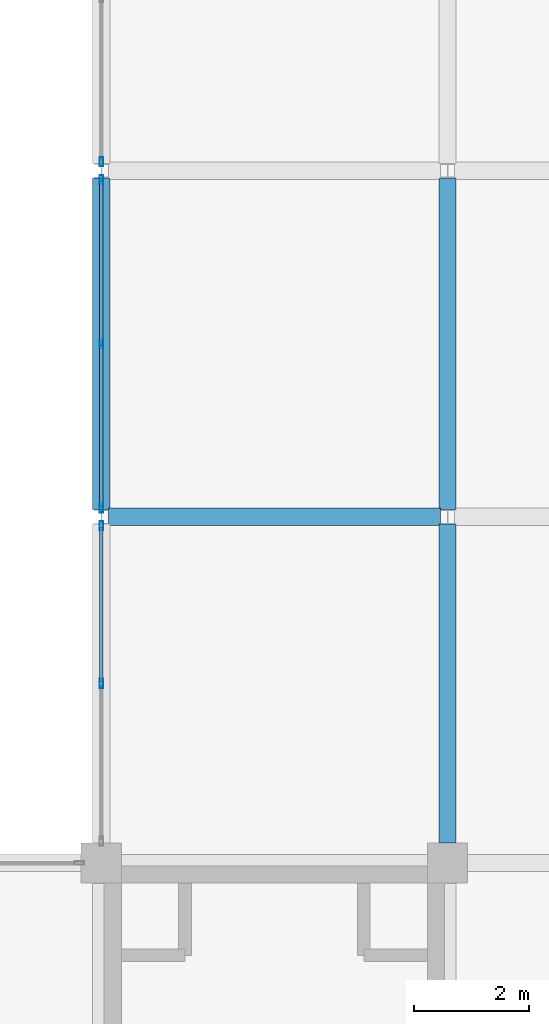
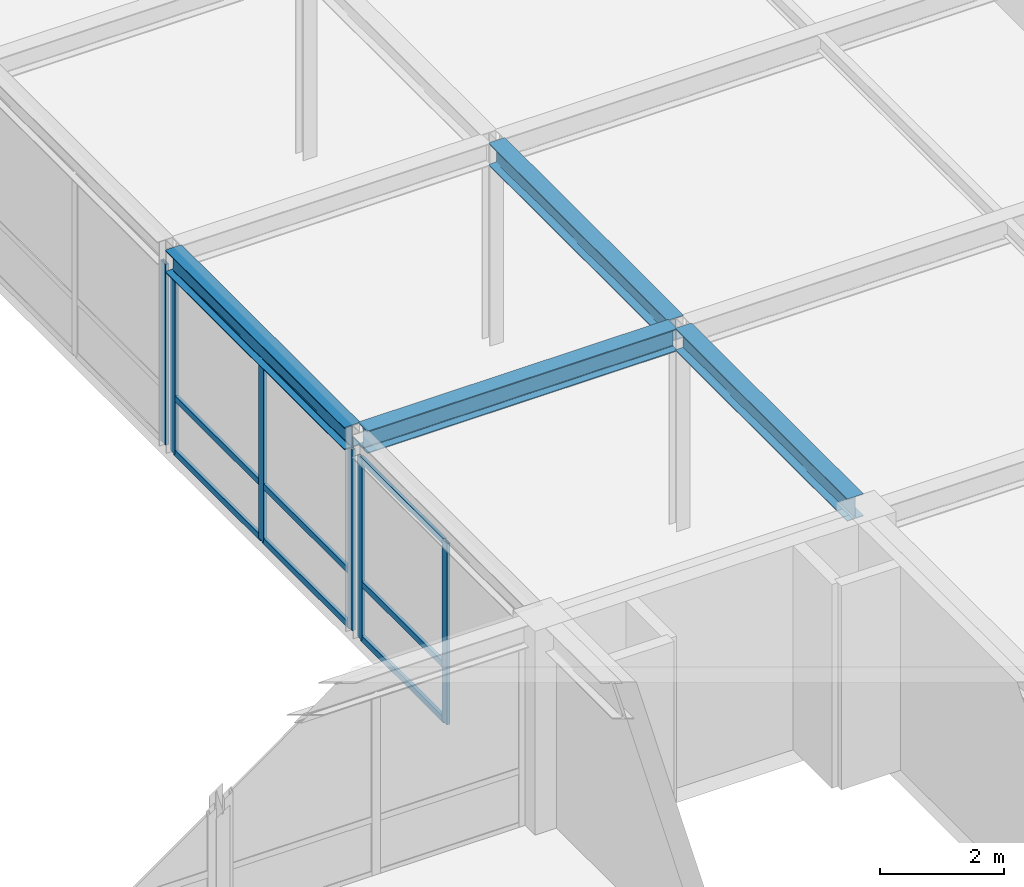
# One storey, part 87 of 111: 15 members, 4 beams, 3 elements without a shape of their own.
"""IFC4 building model written with IfcOpenShell, lengths in metres."""

import ifcopenshell
import ifcopenshell.guid

model = None  # the IFC model being written
_history = None  # IfcOwnerHistory: only IFC2X3 demands one
_inside = {}  # id of a spatial element -> (the spatial element, [elements in it])
_under = {}  # id of a project, library or spatial element -> (it, [spatial elements below it])
_declared = {}  # id of a project -> (the project, [libraries it declares])
_typed = {}  # id of a type object -> (the type object, [elements of that type])
_made_of = {}  # id of a material, layer set ... -> (it, [elements and type objects made of it])


def new_model(schema):
    """Start an empty IFC model of exactly this schema.

    Asked for "IFC4X3", IfcOpenShell would pick the latest addendum, in which some entities
    have other attributes; the version numbers below select the first issue.
    IFC2X3 requires an IfcOwnerHistory on every rooted entity: one is made here for all.
    """
    global model, _history
    if schema == "IFC4X3":
        model = ifcopenshell.file(schema_version=(4, 3, 0, 0))
    else:
        model = ifcopenshell.file(schema=schema)
    _inside.clear()
    _under.clear()
    _declared.clear()
    _typed.clear()
    _made_of.clear()
    _history = None
    if model.schema == "IFC2X3":
        org = make("IfcOrganization", Name="unknown")
        user = make(
            "IfcPersonAndOrganization",
            ThePerson=make("IfcPerson", FamilyName="unknown"),
            TheOrganization=org,
        )
        app = make(
            "IfcApplication",
            ApplicationDeveloper=org,
            Version="unknown",
            ApplicationFullName="unknown",
            ApplicationIdentifier="unknown",
        )
        _history = make(
            "IfcOwnerHistory",
            OwningUser=user,
            OwningApplication=app,
            ChangeAction="ADDED",
            CreationDate=0,
        )
    return model


def make(cls, **values):
    """One entity of the class cls with the attributes given. An attribute that is None is left unset."""
    return model.create_entity(
        cls, **{name: value for name, value in values.items() if value is not None}
    )


def rooted(cls, **values):
    """An entity with a GlobalId (a new one), such as an element, a storey or a relation."""
    return make(cls, GlobalId=ifcopenshell.guid.new(), OwnerHistory=_history, **values)


def si_unit(unit_type, name, prefix=None):
    """IfcSIUnit, for example si_unit("LENGTHUNIT", "METRE", prefix="MILLI")."""
    return make("IfcSIUnit", UnitType=unit_type, Prefix=prefix, Name=name)


def assignment(units):
    """IfcUnitAssignment: the units of a project."""
    return None if units is None else make("IfcUnitAssignment", Units=units)


def point(xyz):
    """IfcCartesianPoint."""
    return None if xyz is None else make("IfcCartesianPoint", Coordinates=xyz)


def direction(xyz):
    """IfcDirection."""
    return None if xyz is None else make("IfcDirection", DirectionRatios=xyz)


def frame(location, z_axis=None, x_axis=None):
    """IfcAxis2Placement3D, a coordinate frame: its origin and axes. An axis left out is left unset."""
    return make(
        "IfcAxis2Placement3D",
        Location=point(location),
        Axis=direction(z_axis),
        RefDirection=direction(x_axis),
    )


def frame_2d(location, x_axis=None):
    """IfcAxis2Placement2D, a coordinate frame in the plane: its origin and x axis."""
    return make(
        "IfcAxis2Placement2D", Location=point(location), RefDirection=direction(x_axis)
    )


def origin():
    """The frame at (0, 0, 0) with its axes left unset."""
    return frame((0.0, 0.0, 0.0))


def origin_2d():
    """The frame at (0, 0) in the plane with its x axis left unset."""
    return frame_2d((0.0, 0.0))


def place(relative_to, where):
    """IfcLocalPlacement: puts the frame where relative to a parent placement (None: the world)."""
    return make(
        "IfcLocalPlacement", PlacementRelTo=relative_to, RelativePlacement=where
    )


def context(
    kind, dimensions, precision=None, world=None, true_north=None, identifier=None
):
    """IfcGeometricRepresentationContext, for example the 3D "Model" context."""
    return make(
        "IfcGeometricRepresentationContext",
        ContextIdentifier=identifier,
        ContextType=kind,
        CoordinateSpaceDimension=dimensions,
        Precision=precision,
        WorldCoordinateSystem=world,
        TrueNorth=true_north,
    )


def subcontext(parent, identifier, kind, view, scale=None):
    """IfcGeometricRepresentationSubContext, for example "Body" below "Model"."""
    return make(
        "IfcGeometricRepresentationSubContext",
        ContextIdentifier=identifier,
        ContextType=kind,
        ParentContext=parent,
        TargetScale=scale,
        TargetView=view,
    )


def project(units=None, contexts=None):
    """IfcProject with its units and contexts."""
    return rooted(
        "IfcProject",
        Name="project",
        RepresentationContexts=contexts,
        UnitsInContext=assignment(units),
    )


def spatial(cls, under=None, at=None, **own):
    """A site, building, storey or space (cls), placed at a placement, below another one or the project."""
    s = rooted(cls, ObjectPlacement=at, **own)
    if under is not None:
        _under.setdefault(under.id(), (under, []))[1].append(s)
    return s


def profile(cls, at=None, kind="AREA", **sizes):
    """A parametric profile (cls). Its sizes go by their IFC names, for example OverallWidth=200.0."""
    return make(cls, ProfileType=kind, Position=at, **sizes)


def hollow_rectangle(**sizes):
    """IfcRectangleHollowProfileDef."""
    return profile("IfcRectangleHollowProfileDef", **sizes)


def i_section(**sizes):
    """IfcIShapeProfileDef."""
    return profile("IfcIShapeProfileDef", **sizes)


def extrude(swept, where, along, depth):
    """IfcExtrudedAreaSolid: the profile swept, set in the frame where, extruded along a direction by depth."""
    return make(
        "IfcExtrudedAreaSolid",
        SweptArea=swept,
        Position=where,
        ExtrudedDirection=direction(along),
        Depth=depth,
    )


def shape(context_of_items, identifier, shape_type, items):
    """IfcShapeRepresentation: the items that make up one representation, for example the "Body"."""
    return make(
        "IfcShapeRepresentation",
        ContextOfItems=context_of_items,
        RepresentationIdentifier=identifier,
        RepresentationType=shape_type,
        Items=items,
    )


def material(Name=None, Category=None):
    """IfcMaterial."""
    return make("IfcMaterial", Name=Name, Category=Category)


def layer(
    of_material, thickness, ventilated=None, Name=None, Category=None, Priority=None
):
    """IfcMaterialLayer: one layer of a wall or slab, of a material (None: an air gap)."""
    return make(
        "IfcMaterialLayer",
        Material=of_material,
        LayerThickness=thickness,
        IsVentilated=ventilated,
        Name=Name,
        Category=Category,
        Priority=Priority,
    )


def layer_set(layers, Name=None):
    """IfcMaterialLayerSet."""
    return make("IfcMaterialLayerSet", MaterialLayers=layers, LayerSetName=Name)


def material_profile(
    of_material, cross_section, Name=None, Category=None, Priority=None
):
    """IfcMaterialProfile: a cross section and its material."""
    return make(
        "IfcMaterialProfile",
        Name=Name,
        Material=of_material,
        Profile=cross_section,
        Priority=Priority,
        Category=Category,
    )


def profile_set(profiles, Name=None, composite=None):
    """IfcMaterialProfileSet."""
    return make(
        "IfcMaterialProfileSet",
        Name=Name,
        MaterialProfiles=profiles,
        CompositeProfile=composite,
    )


def made_of(thing, what):
    """Note that an element or type object is made of a material, layer set ...; save() writes the relation."""
    if what is not None:
        _made_of.setdefault(what.id(), (what, []))[1].append(thing)
    return thing


def type_object(cls, material=None, **own):
    """A type object (cls), such as IfcWallType, which elements share."""
    return made_of(rooted(cls, **own), material)


def element(
    cls,
    number,
    at=None,
    inside=None,
    cuts=None,
    type_object=None,
    material=None,
    context=None,
    identifier="Body",
    shape_type=None,
    held_by="IfcProductDefinitionShape",
    body=None,
    shapes=None,
    **own,
):
    """One element of the class cls, such as IfcWall. Its Tag is "e" and its number.

    at: its placement. inside: the storey or other place that contains it. cuts: it is an
    opening in that element (IfcRelVoidsElement). A single representation is given by context,
    identifier, shape_type and body (its items); several are given by shapes. held_by: the class
    of the entity that holds the representations. save() writes the other relations.
    """
    e = rooted(cls, Tag="e%d" % number, ObjectPlacement=at, **own)
    if body is not None:
        shapes = [shape(context, identifier, shape_type, body)]
    if shapes is not None:
        e.Representation = make(held_by, Representations=shapes)
    if inside is not None:
        _inside.setdefault(inside.id(), (inside, []))[1].append(e)
    if cuts is not None:
        rooted(
            "IfcRelVoidsElement", RelatingBuildingElement=cuts, RelatedOpeningElement=e
        )
    if type_object is not None:
        _typed.setdefault(type_object.id(), (type_object, []))[1].append(e)
    return made_of(e, material)


def aggregate(whole, parts):
    """IfcRelAggregates: a whole, such as a stair, and the parts it consists of."""
    return rooted("IfcRelAggregates", RelatingObject=whole, RelatedObjects=parts)


def save(model, path):
    """Write the relations noted so far, then the file.

    IfcRelAggregates (storeys below a building ...), IfcRelContainedInSpatialStructure (elements
    in a storey), IfcRelDefinesByType, IfcRelAssociatesMaterial and IfcRelDeclares: one each for
    every whole, place, type object, material and project.
    """
    for whole, parts in _under.values():
        aggregate(whole, parts)
    for where, things in _inside.values():
        rooted(
            "IfcRelContainedInSpatialStructure",
            RelatedElements=things,
            RelatingStructure=where,
        )
    for kind, things in _typed.values():
        rooted("IfcRelDefinesByType", RelatedObjects=things, RelatingType=kind)
    for what, things in _made_of.values():
        rooted("IfcRelAssociatesMaterial", RelatedObjects=things, RelatingMaterial=what)
    for by, libraries in _declared.values():
        rooted("IfcRelDeclares", RelatingContext=by, RelatedDefinitions=libraries)
    model.write(path)


model = new_model("IFC4")

# Units and contexts
model_context = context("Model", 3, precision=1e-05, world=origin(), true_north=direction((0.0, 1.0)))
body_context = subcontext(model_context, "Body", "Model", "MODEL_VIEW")
ifc_project = project(units=[si_unit("LENGTHUNIT", "METRE"), si_unit("AREAUNIT", "SQUARE_METRE"), si_unit("VOLUMEUNIT", "CUBIC_METRE"), si_unit("PLANEANGLEUNIT", "RADIAN"), si_unit("MASSUNIT", "GRAM", prefix="KILO")], contexts=[model_context])

# Site, building, storey
site_placement = place(None, origin())
site = spatial("IfcSite", under=ifc_project, at=site_placement, CompositionType="ELEMENT")
building_placement = place(site_placement, origin())
building = spatial("IfcBuilding", under=site, at=building_placement, Name="Zlatovratsky Civic Hall", CompositionType="ELEMENT")
storey_placement = place(building_placement, frame((0.0, 0.0, 16.5)))
storey = spatial("IfcBuildingStorey", under=building, at=storey_placement, Name="L04", CompositionType="ELEMENT", Elevation=16.5)

# Beams
ifc_material_1 = material(Name="Steel S355", Category="steel")
ifc_material_profile_1 = material_profile(ifc_material_1, i_section(OverallWidth=0.300048828125, OverallDepth=0.43994140625, WebThickness=0.010986328125, FlangeThickness=0.01806640625, FilletRadius=0.02197265625, at=origin_2d()), Name="45Sh1")
ifc_profile_set_1 = profile_set([ifc_material_profile_1], Name="Steel S355")
beam_type = type_object("IfcBeamType", Name="Beam_TowerLow_45Sh1", PredefinedType="BEAM", material=ifc_profile_set_1)
for number, where, z_axis, x_axis, name in (
    (1, (150.125, 36.0, 3.780029296875), (1.0, 0.0, 0.0), (0.0, 1.0, 0.0), "BM-3288"),
    (2, (150.0, 36.125, 3.780029296875), (0.0, 1.0, 0.0), (-1.0, 0.0, 0.0), "BM-3782"),
):
    element("IfcBeam", number, at=place(storey_placement, frame(where, z_axis=z_axis, x_axis=x_axis)), inside=storey, type_object=beam_type, Name=name, PredefinedType="BEAM", context=body_context, shape_type="SweptSolid", body=[
        extrude(i_section(OverallWidth=0.300048828125, OverallDepth=0.43994140625, WebThickness=0.010986328125, FlangeThickness=0.01806640625, FilletRadius=0.02197265625, at=origin_2d()), origin(), (0.0, 0.0, 1.0), 5.75),
    ])
beam_1_placement = place(storey_placement, frame((156.0, 30.35009765625, 3.780029296875), z_axis=(0.0, 1.0, 0.0), x_axis=(-1.0, 0.0, 0.0)))
element("IfcBeam", 3, at=beam_1_placement, inside=storey, type_object=beam_type, Name="BM-3798", PredefinedType="BEAM", context=body_context, shape_type="SweptSolid", body=[
    extrude(i_section(OverallWidth=0.300048828125, OverallDepth=0.43994140625, WebThickness=0.010986328125, FlangeThickness=0.01806640625, FilletRadius=0.02197265625, at=origin_2d()), origin(), (0.0, 0.0, 1.0), 5.52490234375),
])
beam_2_placement = place(storey_placement, frame((156.0, 36.125, 3.780029296875), z_axis=(0.0, 1.0, 0.0), x_axis=(-1.0, 0.0, 0.0)))
element("IfcBeam", 4, at=beam_2_placement, inside=storey, type_object=beam_type, Name="BM-3799", PredefinedType="BEAM", context=body_context, shape_type="SweptSolid", body=[
    extrude(i_section(OverallWidth=0.300048828125, OverallDepth=0.43994140625, WebThickness=0.010986328125, FlangeThickness=0.01806640625, FilletRadius=0.02197265625, at=origin_2d()), origin(), (0.0, 0.0, 1.0), 5.75),
])

# Curtain wall, members
ifc_material_2 = material(Name="Anodised bronze aluminium", Category="aluminium")
ifc_layer_1 = layer(ifc_material_2, 0.159912109375)
ifc_layer_set_1 = layer_set([ifc_layer_1], Name="Anodised bronze aluminium")
curtain_wall_type_1 = type_object("IfcCurtainWallType", Name="CurtainWall_Bronze_5520x3550_16", PredefinedType="NOTDEFINED", material=ifc_layer_set_1)
curtain_wall_1_placement = place(storey_placement, origin())
curtain_wall_1 = element("IfcCurtainWall", 5, at=curtain_wall_1_placement, inside=storey, type_object=curtain_wall_type_1, Name="CW-123", PredefinedType="NOTDEFINED")
ifc_material_profile_2 = material_profile(ifc_material_2, hollow_rectangle(XDim=0.06005859375, YDim=0.159912109375, WallThickness=0.00390625, at=origin_2d()), Name="ALU 60x160x4")
ifc_profile_set_2 = profile_set([ifc_material_profile_2], Name="Anodised bronze aluminium")
member_type_1 = type_object("IfcMemberType", Name="CW_Mullion_60x160", PredefinedType="MULLION", material=ifc_profile_set_2)
member_1_placement = place(storey_placement, frame((150.0, 33.112548828125, 0.0), z_axis=(0.0, 0.0, 1.0), x_axis=(-1.0, 0.0, 0.0)))
member_1 = element("IfcMember", 6, at=member_1_placement, type_object=member_type_1, Name="CW-16 mullion 2", PredefinedType="MULLION", context=body_context, shape_type="SweptSolid", body=[
    extrude(hollow_rectangle(XDim=0.06005859375, YDim=0.159912109375, WallThickness=0.00390625, at=origin_2d()), origin(), (0.0, 0.0, 1.0), 3.550048828125),
])
member_2_placement = place(storey_placement, frame((150.0, 35.844970703125, 0.0), z_axis=(0.0, 0.0, 1.0), x_axis=(-1.0, 0.0, 0.0)))
member_2 = element("IfcMember", 7, at=member_2_placement, type_object=member_type_1, Name="CW-16 mullion 3", PredefinedType="MULLION", context=body_context, shape_type="SweptSolid", body=[
    extrude(hollow_rectangle(XDim=0.06005859375, YDim=0.159912109375, WallThickness=0.00390625, at=origin_2d()), origin(), (0.0, 0.0, 1.0), 3.550048828125),
])

ifc_layer_2 = layer(ifc_material_2, 0.159912109375)
ifc_layer_set_2 = layer_set([ifc_layer_2], Name="Anodised bronze aluminium")
curtain_wall_type_2 = type_object("IfcCurtainWallType", Name="CurtainWall_Bronze_5750x3550_18", PredefinedType="NOTDEFINED", material=ifc_layer_set_2)
curtain_wall_2_placement = place(storey_placement, origin())
curtain_wall_2 = element("IfcCurtainWall", 8, at=curtain_wall_2_placement, inside=storey, type_object=curtain_wall_type_2, Name="CW-124", PredefinedType="NOTDEFINED")
member_3_placement = place(storey_placement, frame((150.0, 36.155029296875, 0.0), z_axis=(0.0, 0.0, 1.0), x_axis=(-1.0, 0.0, 0.0)))
member_3 = element("IfcMember", 9, at=member_3_placement, type_object=member_type_1, Name="CW-18 mullion 1", PredefinedType="MULLION", context=body_context, shape_type="SweptSolid", body=[
    extrude(hollow_rectangle(XDim=0.06005859375, YDim=0.159912109375, WallThickness=0.00390625, at=origin_2d()), origin(), (0.0, 0.0, 1.0), 3.550048828125),
])
member_4_placement = place(storey_placement, frame((150.0, 39.0, 0.0), z_axis=(0.0, 0.0, 1.0), x_axis=(-1.0, 0.0, 0.0)))
member_4 = element("IfcMember", 10, at=member_4_placement, type_object=member_type_1, Name="CW-18 mullion 2", PredefinedType="MULLION", context=body_context, shape_type="SweptSolid", body=[
    extrude(hollow_rectangle(XDim=0.06005859375, YDim=0.159912109375, WallThickness=0.00390625, at=origin_2d()), origin(), (0.0, 0.0, 1.0), 3.550048828125),
])
member_5_placement = place(storey_placement, frame((150.0, 41.844970703125, 0.0), z_axis=(0.0, 0.0, 1.0), x_axis=(-1.0, 0.0, 0.0)))
member_5 = element("IfcMember", 11, at=member_5_placement, type_object=member_type_1, Name="CW-18 mullion 3", PredefinedType="MULLION", context=body_context, shape_type="SweptSolid", body=[
    extrude(hollow_rectangle(XDim=0.06005859375, YDim=0.159912109375, WallThickness=0.00390625, at=origin_2d()), origin(), (0.0, 0.0, 1.0), 3.550048828125),
])

# Curtain wall, member
curtain_wall_3_placement = place(storey_placement, origin())
curtain_wall_3 = element("IfcCurtainWall", 12, at=curtain_wall_3_placement, inside=storey, type_object=curtain_wall_type_2, Name="CW-125", PredefinedType="NOTDEFINED")
member_6_placement = place(storey_placement, frame((150.0, 42.155029296875, 0.0), z_axis=(0.0, 0.0, 1.0), x_axis=(-1.0, 0.0, 0.0)))
member_6 = element("IfcMember", 13, at=member_6_placement, type_object=member_type_1, Name="CW-18 mullion 1", PredefinedType="MULLION", context=body_context, shape_type="SweptSolid", body=[
    extrude(hollow_rectangle(XDim=0.06005859375, YDim=0.159912109375, WallThickness=0.00390625, at=origin_2d()), origin(), (0.0, 0.0, 1.0), 3.550048828125),
])
aggregate(curtain_wall_3, [member_6])

# Member
ifc_material_profile_3 = material_profile(ifc_material_2, hollow_rectangle(XDim=0.06005859375, YDim=0.1201171875, WallThickness=0.00390625, at=origin_2d()), Name="ALU 60x120x4")
ifc_profile_set_3 = profile_set([ifc_material_profile_3], Name="Anodised bronze aluminium")
member_type_2 = type_object("IfcMemberType", Name="CW_Transom_60x120", PredefinedType="USERDEFINED", material=ifc_profile_set_3)
member_7_placement = place(storey_placement, frame((150.0, 33.142578125, 0.030029296875), z_axis=(0.0, 1.0, 0.0), x_axis=(-1.0, 0.0, 0.0)))
member_7 = element("IfcMember", 14, at=member_7_placement, type_object=member_type_2, Name="CW-16 transom 2.1", ObjectType="TRANSOM", PredefinedType="USERDEFINED", context=body_context, shape_type="SweptSolid", body=[
    extrude(hollow_rectangle(XDim=0.06005859375, YDim=0.1201171875, WallThickness=0.00390625, at=origin_2d()), origin(), (0.0, 0.0, 1.0), 2.67236328125),
])

member_8_placement = place(storey_placement, frame((150.0, 33.142578125, 1.10009765625), z_axis=(0.0, 1.0, 0.0), x_axis=(-1.0, 0.0, 0.0)))
member_8 = element("IfcMember", 15, at=member_8_placement, type_object=member_type_2, Name="CW-16 transom 2.2", ObjectType="TRANSOM", PredefinedType="USERDEFINED", context=body_context, shape_type="SweptSolid", body=[
    extrude(hollow_rectangle(XDim=0.06005859375, YDim=0.1201171875, WallThickness=0.00390625, at=origin_2d()), origin(), (0.0, 0.0, 1.0), 2.67236328125),
])

member_9_placement = place(storey_placement, frame((150.0, 33.142578125, 3.52001953125), z_axis=(0.0, 1.0, 0.0), x_axis=(-1.0, 0.0, 0.0)))
member_9 = element("IfcMember", 16, at=member_9_placement, type_object=member_type_2, Name="CW-16 transom 2.3", ObjectType="TRANSOM", PredefinedType="USERDEFINED", context=body_context, shape_type="SweptSolid", body=[
    extrude(hollow_rectangle(XDim=0.06005859375, YDim=0.1201171875, WallThickness=0.00390625, at=origin_2d()), origin(), (0.0, 0.0, 1.0), 2.67236328125),
])

aggregate(curtain_wall_1, [member_1, member_2, member_7, member_8, member_9])

member_10_placement = place(storey_placement, frame((150.0, 36.18505859375, 0.030029296875), z_axis=(0.0, 1.0, 0.0), x_axis=(-1.0, 0.0, 0.0)))
member_10 = element("IfcMember", 17, at=member_10_placement, type_object=member_type_2, Name="CW-18 transom 1.1", ObjectType="TRANSOM", PredefinedType="USERDEFINED", context=body_context, shape_type="SweptSolid", body=[
    extrude(hollow_rectangle(XDim=0.06005859375, YDim=0.1201171875, WallThickness=0.00390625, at=origin_2d()), origin(), (0.0, 0.0, 1.0), 2.784912109375),
])

member_11_placement = place(storey_placement, frame((150.0, 36.18505859375, 1.10009765625), z_axis=(0.0, 1.0, 0.0), x_axis=(-1.0, 0.0, 0.0)))
member_11 = element("IfcMember", 18, at=member_11_placement, type_object=member_type_2, Name="CW-18 transom 1.2", ObjectType="TRANSOM", PredefinedType="USERDEFINED", context=body_context, shape_type="SweptSolid", body=[
    extrude(hollow_rectangle(XDim=0.06005859375, YDim=0.1201171875, WallThickness=0.00390625, at=origin_2d()), origin(), (0.0, 0.0, 1.0), 2.784912109375),
])

member_12_placement = place(storey_placement, frame((150.0, 36.18505859375, 3.52001953125), z_axis=(0.0, 1.0, 0.0), x_axis=(-1.0, 0.0, 0.0)))
member_12 = element("IfcMember", 19, at=member_12_placement, type_object=member_type_2, Name="CW-18 transom 1.3", ObjectType="TRANSOM", PredefinedType="USERDEFINED", context=body_context, shape_type="SweptSolid", body=[
    extrude(hollow_rectangle(XDim=0.06005859375, YDim=0.1201171875, WallThickness=0.00390625, at=origin_2d()), origin(), (0.0, 0.0, 1.0), 2.784912109375),
])

member_13_placement = place(storey_placement, frame((150.0, 39.030029296875, 0.030029296875), z_axis=(0.0, 1.0, 0.0), x_axis=(-1.0, 0.0, 0.0)))
member_13 = element("IfcMember", 20, at=member_13_placement, type_object=member_type_2, Name="CW-18 transom 2.1", ObjectType="TRANSOM", PredefinedType="USERDEFINED", context=body_context, shape_type="SweptSolid", body=[
    extrude(hollow_rectangle(XDim=0.06005859375, YDim=0.1201171875, WallThickness=0.00390625, at=origin_2d()), origin(), (0.0, 0.0, 1.0), 2.784912109375),
])

member_14_placement = place(storey_placement, frame((150.0, 39.030029296875, 1.10009765625), z_axis=(0.0, 1.0, 0.0), x_axis=(-1.0, 0.0, 0.0)))
member_14 = element("IfcMember", 21, at=member_14_placement, type_object=member_type_2, Name="CW-18 transom 2.2", ObjectType="TRANSOM", PredefinedType="USERDEFINED", context=body_context, shape_type="SweptSolid", body=[
    extrude(hollow_rectangle(XDim=0.06005859375, YDim=0.1201171875, WallThickness=0.00390625, at=origin_2d()), origin(), (0.0, 0.0, 1.0), 2.784912109375),
])

member_15_placement = place(storey_placement, frame((150.0, 39.030029296875, 3.52001953125), z_axis=(0.0, 1.0, 0.0), x_axis=(-1.0, 0.0, 0.0)))
member_15 = element("IfcMember", 22, at=member_15_placement, type_object=member_type_2, Name="CW-18 transom 2.3", ObjectType="TRANSOM", PredefinedType="USERDEFINED", context=body_context, shape_type="SweptSolid", body=[
    extrude(hollow_rectangle(XDim=0.06005859375, YDim=0.1201171875, WallThickness=0.00390625, at=origin_2d()), origin(), (0.0, 0.0, 1.0), 2.784912109375),
])

aggregate(curtain_wall_2, [member_3, member_4, member_5, member_10, member_11, member_12, member_13, member_14, member_15])

save(model, "model.ifc")
